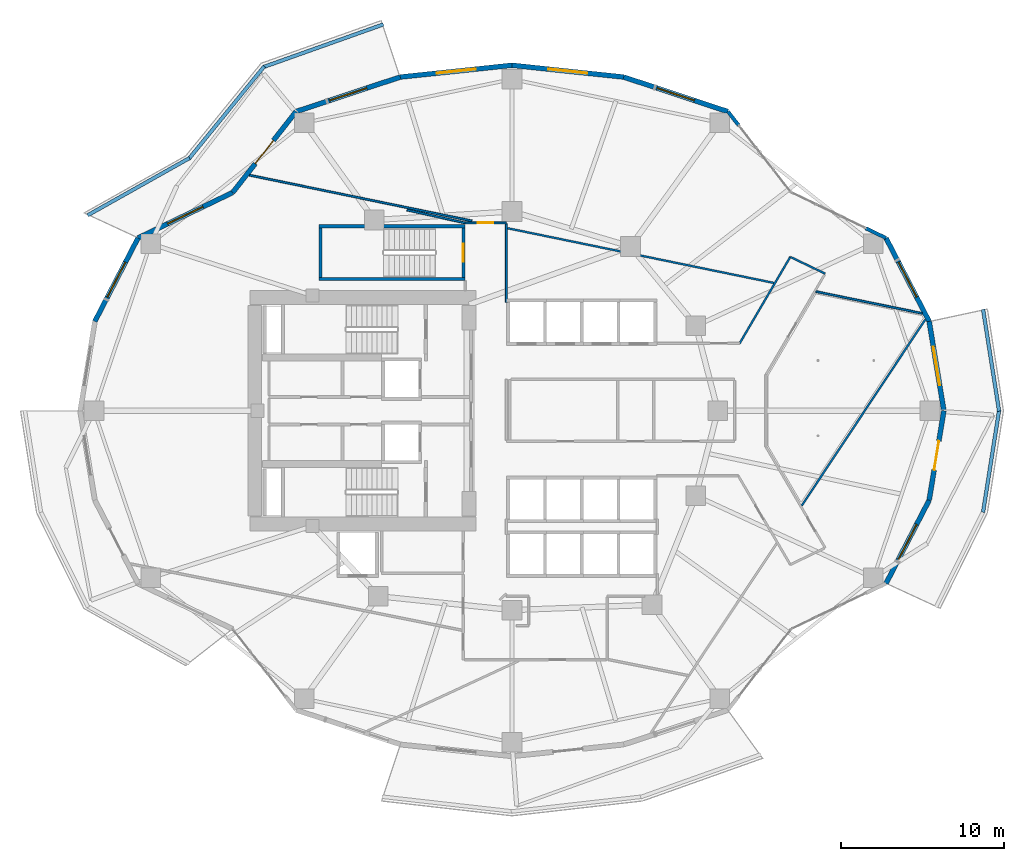
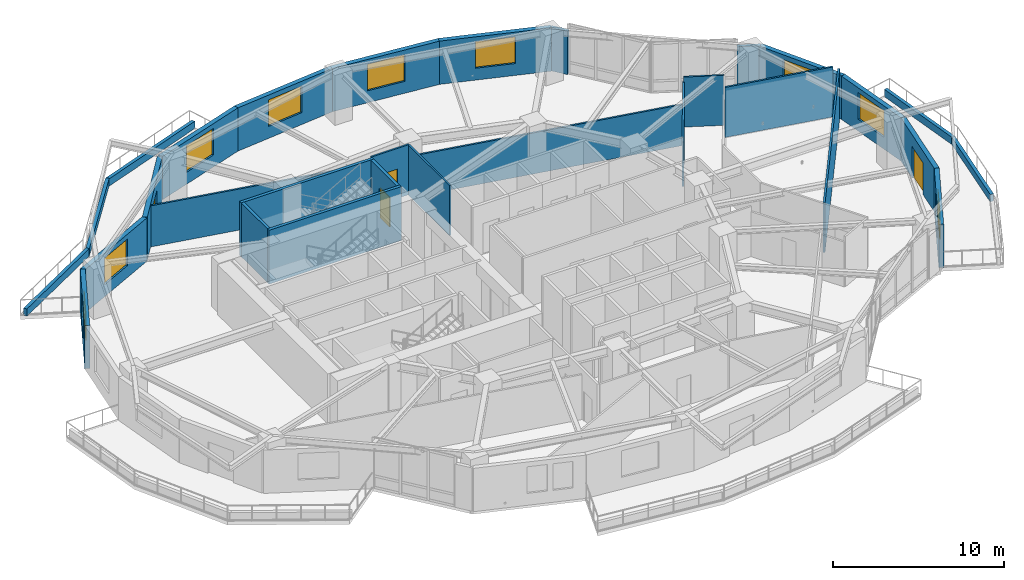
# One storey, part 11 of 18: 31 walls, 9 windows, 4 doors, 13 openings.
"""IFC4 building model written with IfcOpenShell, lengths in metres."""

from ifc_helpers import new_model, si_unit, direction, frame, frame_2d, origin, place, context, subcontext, project, spatial, rectangle, extrude, material, layer, layer_set, type_object, element, fill, save


model = new_model("IFC4")

# Units and contexts
model_context = context("Model", 3, precision=1e-05, world=origin(), true_north=direction((0.0, 1.0)))
body_context = subcontext(model_context, "Body", "Model", "MODEL_VIEW")
ifc_project = project(units=[si_unit("LENGTHUNIT", "METRE"), si_unit("AREAUNIT", "SQUARE_METRE"), si_unit("VOLUMEUNIT", "CUBIC_METRE"), si_unit("PLANEANGLEUNIT", "RADIAN"), si_unit("MASSUNIT", "GRAM", prefix="KILO")], contexts=[model_context])

# Site, building, storey
site_placement = place(None, origin())
site = spatial("IfcSite", under=ifc_project, at=site_placement, CompositionType="ELEMENT")
building_placement = place(site_placement, origin())
building = spatial("IfcBuilding", under=site, at=building_placement, Name="Kolvaren Gate Tower and Convention Centre", CompositionType="ELEMENT")
storey_placement = place(building_placement, frame((0.0, 0.0, 61.14990234375)))
storey = spatial("IfcBuildingStorey", under=building, at=storey_placement, Name="L14", CompositionType="ELEMENT", Elevation=61.14990234375)

# Wall, opening, door
ifc_material_1 = material(Name="Fire-Rated Acoustic Gypsum Stud Partition", Category="gypsum")
ifc_layer_1 = layer(ifc_material_1, 0.1201171875)
ifc_layer_set_1 = layer_set([ifc_layer_1], Name="Fire-Rated Acoustic Gypsum Stud Partition")
wall_type_1 = type_object("IfcWallType", Name="ARCH-WL-PART-120", PredefinedType="PARTITIONING", material=ifc_layer_set_1)
wall_1_placement = place(storey_placement, frame((27.25, 38.5, 0.0), z_axis=(0.0, 0.0, 1.0), x_axis=(1.0, 0.0, 0.0)))
wall_1 = element("IfcWall", 1, at=wall_1_placement, inside=storey, type_object=wall_type_1, Name="Interior Partition WL-L14-INT-022", PredefinedType="PARTITIONING", context=body_context, shape_type="SweptSolid", body=[
    extrude(rectangle(XDim=2.530029296875, YDim=0.1201171875, at=frame_2d((1.26513671875, 0.0))), origin(), (0.0, 0.0, 1.0), 3.570068359375),
])
opening_1_placement = place(wall_1_placement, frame((0.7900390625, 0.0, 0.0)))
opening_1 = element("IfcOpeningElement", 2, at=opening_1_placement, cuts=wall_1, Name="Opening DR-01", PredefinedType="OPENING", context=body_context, shape_type="SweptSolid", body=[
    extrude(rectangle(XDim=0.949951171875, YDim=2.10009765625, at=frame_2d((0.47509765625, 1.050048828125))), frame((0.0, 0.070068359375, 0.0), z_axis=(0.0, -1.0, 0.0), x_axis=(1.0, 0.0, 0.0)), (0.0, 0.0, 1.0), 0.14013671875),
])
ifc_material_2 = material(Name="Painted Architectural Steelwork ASTM A500 Grade C 345 MPa", Category="steel")
door_type_1 = type_object("IfcDoorType", Name="ARCH-DR-RISER-950", OperationType="SINGLE_SWING_RIGHT", PredefinedType="DOOR", material=ifc_material_2)
door_1_placement = place(opening_1_placement, origin())
door_1 = element("IfcDoor", 3, at=door_1_placement, inside=storey, type_object=door_type_1, Name="Design Flagship Showroom Door", OperationType="SINGLE_SWING_RIGHT", OverallHeight=2.10009765625, OverallWidth=0.949951171875, PredefinedType="DOOR", context=body_context, shape_type="SweptSolid", body=[
    extrude(rectangle(XDim=0.949951171875, YDim=2.10009765625, at=frame_2d((0.47509765625, 1.050048828125))), frame((0.0, 0.02490234375, 0.0), z_axis=(0.0, -1.0, 0.0), x_axis=(1.0, 0.0, 0.0)), (0.0, 0.0, 1.0), 0.050048828125),
])
fill(opening_1, door_1)

# Walls
wall_2_placement = place(storey_placement, frame((29.780029296875, 33.639892578125, 0.0), z_axis=(0.0, 0.0, 1.0), x_axis=(0.0, 1.0, 0.0)))
element("IfcWall", 4, at=wall_2_placement, inside=storey, type_object=wall_type_1, Name="Interior Partition WL-L14-INT-025", PredefinedType="PARTITIONING", context=body_context, shape_type="SweptSolid", body=[
    extrude(rectangle(XDim=4.798095703125, YDim=0.1201171875, at=frame_2d((2.39892578125, 0.0))), origin(), (0.0, 0.0, 1.0), 3.570068359375),
])
wall_3_placement = place(storey_placement, frame((44.055908203125, 31.1201171875, 0.0), z_axis=(0.0, 0.0, 1.0), x_axis=(0.505570543943, 0.86278527172, 0.0)))
element("IfcWall", 5, at=wall_3_placement, inside=storey, type_object=wall_type_1, Name="Interior Partition WL-L14-INT-027", PredefinedType="PARTITIONING", context=body_context, shape_type="SweptSolid", body=[
    extrude(rectangle(XDim=6.1416015625, YDim=0.1201171875, at=frame_2d((3.07080078125, 0.0))), origin(), (0.0, 0.0, 1.0), 3.205078125),
])
wall_4_placement = place(storey_placement, frame((47.160888671875, 36.4189453125, 0.0), z_axis=(0.0, 0.0, 1.0), x_axis=(0.901268684569, -0.433260612351, 0.0)))
element("IfcWall", 6, at=wall_4_placement, inside=storey, type_object=wall_type_1, Name="Interior Partition WL-L14-INT-028", PredefinedType="PARTITIONING", context=body_context, shape_type="SweptSolid", body=[
    extrude(rectangle(XDim=2.367919921875, YDim=0.1201171875, at=frame_2d((1.18408203125, 0.0))), origin(), (0.0, 0.0, 1.0), 3.570068359375),
])
wall_5_placement = place(storey_placement, frame((47.8564453125, 21.1845703125, 0.0), z_axis=(0.0, 0.0, 1.0), x_axis=(0.553102657985, 0.833113107405, 0.0)))
element("IfcWall", 7, at=wall_5_placement, inside=storey, type_object=wall_type_1, Name="Interior Partition WL-L14-INT-044", PredefinedType="PARTITIONING", context=body_context, shape_type="SweptSolid", body=[
    extrude(rectangle(XDim=13.6923828125, YDim=0.1201171875, at=frame_2d((6.84619140625, 0.0))), origin(), (0.0, 0.0, 1.0), 3.570068359375),
])
wall_6_placement = place(storey_placement, frame((14.0498046875, 41.421142578125, 0.0), z_axis=(0.0, 0.0, 1.0), x_axis=(0.979545345603, -0.201223547102, 0.0)))
element("IfcWall", 8, at=wall_6_placement, inside=storey, type_object=wall_type_1, Name="Interior Partition WL-L14-INT-045", PredefinedType="PARTITIONING", context=body_context, shape_type="SweptSolid", body=[
    extrude(rectangle(XDim=13.91015625, YDim=0.1201171875, at=frame_2d((6.955078125, 0.0))), origin(), (0.0, 0.0, 1.0), 2.93408203125),
])
wall_7_placement = place(storey_placement, frame((29.842041015625, 38.177001953125, 0.0), z_axis=(0.0, 0.0, 1.0), x_axis=(0.979543984113, -0.201230174647, 0.0)))
element("IfcWall", 9, at=wall_7_placement, inside=storey, type_object=wall_type_1, Name="Interior Partition WL-L14-INT-046", PredefinedType="PARTITIONING", context=body_context, shape_type="SweptSolid", body=[
    extrude(rectangle(XDim=16.654052734375, YDim=0.1201171875, at=frame_2d((8.3271484375, 0.0))), origin(), (0.0, 0.0, 1.0), 2.93408203125),
])
wall_8_placement = place(storey_placement, frame((48.72509765625, 34.2978515625, 0.0), z_axis=(0.0, 0.0, 1.0), x_axis=(0.979545031046, -0.201225078339, 0.0)))
element("IfcWall", 10, at=wall_8_placement, inside=storey, type_object=wall_type_1, Name="Interior Partition WL-L14-INT-047", PredefinedType="PARTITIONING", context=body_context, shape_type="SweptSolid", body=[
    extrude(rectangle(XDim=6.64990234375, YDim=0.1201171875, at=frame_2d((3.324951171875, 0.0))), origin(), (0.0, 0.0, 1.0), 3.570068359375),
])
wall_9_placement = place(storey_placement, frame((23.69287109375, 39.287109375, 0.0), z_axis=(0.0, 0.0, 1.0), x_axis=(0.976382184517, -0.216050525936, 0.0)))
element("IfcWall", 11, at=wall_9_placement, inside=storey, type_object=wall_type_1, Name="Interior Partition WL-L14-INT-048", PredefinedType="PARTITIONING", context=body_context, shape_type="SweptSolid", body=[
    extrude(rectangle(XDim=3.64306640625, YDim=0.1201171875, at=frame_2d((1.821533203125, 0.0))), origin(), (0.0, 0.0, 1.0), 2.93408203125),
])
ifc_material_3 = material(Name="Bogota Sabana Bush-Hammered Sandstone Cladding", Category="masonry")
ifc_layer_2 = layer(ifc_material_3, 0.219970703125)
ifc_layer_set_2 = layer_set([ifc_layer_2], Name="Bogota Sabana Bush-Hammered Sandstone Cladding")
wall_type_2 = type_object("IfcWallType", Name="ARCH-WL-PIER-220", PredefinedType="SOLIDWALL", material=ifc_layer_set_2)
wall_10_placement = place(storey_placement, frame((51.77587890625, 38.173095703125, 0.0), z_axis=(0.0, 0.0, 1.0), x_axis=(0.90131879969, -0.433156347438, 0.0)))
element("IfcWall", 12, at=wall_10_placement, inside=storey, type_object=wall_type_2, Name="Tower L14 Unitised Curtain Wall CW-OFF-UNIT Bay 02 Right Column Pier Wrap", PredefinedType="SOLIDWALL", context=body_context, shape_type="SweptSolid", body=[
    extrude(rectangle(XDim=1.380859375, YDim=0.219970703125, at=frame_2d((0.6904296875, 0.0))), origin(), (0.0, 0.0, 1.0), 3.093017578125),
])
wall_11_placement = place(storey_placement, frame((43.34375, 45.31640625, 0.0), z_axis=(0.0, 0.0, 1.0), x_axis=(0.616387780378, -0.787442762492, 0.0)))
element("IfcWall", 13, at=wall_11_placement, inside=storey, type_object=wall_type_2, Name="Tower L14 Unitised Curtain Wall CW-OFF-UNIT Bay 03 Left Column Pier Wrap", PredefinedType="SOLIDWALL", context=body_context, shape_type="SweptSolid", body=[
    extrude(rectangle(XDim=1.076171875, YDim=0.219970703125, at=frame_2d((0.5380859375, 0.0))), origin(), (0.0, 0.0, 1.0), 3.093017578125),
])
ifc_material_4 = material(Name="Piedmont Cream Honed Limestone Cladding", Category="masonry")
ifc_layer_3 = layer(ifc_material_4, 0.219970703125)
ifc_layer_set_3 = layer_set([ifc_layer_3], Name="Piedmont Cream Honed Limestone Cladding")
wall_type_3 = type_object("IfcWallType", Name="ARCH-WL-PLANTER-220", PredefinedType="PARAPET", material=ifc_layer_set_3)
wall_12_placement = place(storey_placement, frame((14.89306640625, 48.035400390625, 0.0), z_axis=(0.0, 0.0, 1.0), x_axis=(0.942200211781, 0.335050385643, 0.0)))
element("IfcWall", 14, at=wall_12_placement, inside=storey, type_object=wall_type_3, Name="Vertical-Forest Balcony Stone Planter Kerb PK-L14-1.1", PredefinedType="PARAPET", context=body_context, shape_type="SweptSolid", body=[
    extrude(rectangle(XDim=7.806884765625, YDim=0.219970703125, at=frame_2d((3.9033203125, 0.0))), origin(), (0.0, 0.0, 1.0), 0.52001953125),
])
wall_13_placement = place(storey_placement, frame((10.335693359375, 42.411376953125, 0.0), z_axis=(0.0, 0.0, 1.0), x_axis=(0.631819273026, 0.775115737315, 0.0)))
element("IfcWall", 15, at=wall_13_placement, inside=storey, type_object=wall_type_3, Name="Vertical-Forest Balcony Stone Planter Kerb PK-L14-1.2", PredefinedType="PARAPET", context=body_context, shape_type="SweptSolid", body=[
    extrude(rectangle(XDim=7.31591796875, YDim=0.219970703125, at=frame_2d((3.657958984375, 0.0))), origin(), (0.0, 0.0, 1.0), 0.52001953125),
])
wall_14_placement = place(storey_placement, frame((4.14697265625, 38.965576171875, 0.0), z_axis=(0.0, 0.0, 1.0), x_axis=(0.871775109335, 0.489906275468, 0.0)))
element("IfcWall", 16, at=wall_14_placement, inside=storey, type_object=wall_type_3, Name="Vertical-Forest Balcony Stone Planter Kerb PK-L14-1.3", PredefinedType="PARAPET", context=body_context, shape_type="SweptSolid", body=[
    extrude(rectangle(XDim=7.152099609375, YDim=0.219970703125, at=frame_2d((3.576171875, 0.0))), origin(), (0.0, 0.0, 1.0), 0.52001953125),
])
for number, where, z_axis, x_axis, name in (
    (17, (58.9619140625, 20.7880859375, 0.0), (0.0, 0.0, 1.0), (0.15545655238, 0.987842730561, 0.0), "Vertical-Forest Balcony Stone Planter Kerb PK-L14-4.2"),
    (18, (58.9619140625, 33.2119140625, 0.0), (0.0, 0.0, 1.0), (0.15545655238, -0.987842730561, 0.0), "Vertical-Forest Balcony Stone Planter Kerb PK-L14-4.3"),
):
    element("IfcWall", number, at=place(storey_placement, frame(where, z_axis=z_axis, x_axis=x_axis)), inside=storey, type_object=wall_type_3, Name=name, PredefinedType="PARAPET", context=body_context, shape_type="SweptSolid", body=[
        extrude(rectangle(XDim=6.318115234375, YDim=0.219970703125, at=frame_2d((3.1591796875, 0.0))), origin(), (0.0, 0.0, 1.0), 0.52001953125),
    ])

# Wall, opening, window
ifc_layer_4 = layer(ifc_material_4, 0.300048828125)
ifc_layer_set_4 = layer_set([ifc_layer_4], Name="Piedmont Cream Honed Limestone Cladding")
wall_type_4 = type_object("IfcWallType", Name="ARCH-WL-STONE-300", PredefinedType="SOLIDWALL", material=ifc_layer_set_4)
wall_15_placement = place(storey_placement, frame((55.66162109375, 32.47412109375, 0.0), z_axis=(0.0, 0.0, 1.0), x_axis=(0.162386212206, -0.986727276447, 0.0)))
wall_15 = element("IfcWall", 19, at=wall_15_placement, inside=storey, type_object=wall_type_4, Name="Tower L14 Honed Stone Spandrel Wall EW-00", PredefinedType="SOLIDWALL", context=body_context, shape_type="SweptSolid", body=[
    extrude(rectangle(XDim=5.5478515625, YDim=0.300048828125, at=frame_2d((2.77392578125, 0.0))), origin(), (0.0, 0.0, 1.0), 3.093017578125),
])
opening_2_placement = place(wall_15_placement, frame((1.573974609375, 0.0, 0.85009765625)))
opening_2 = element("IfcOpeningElement", 20, at=opening_2_placement, cuts=wall_15, Name="Opening W-01", PredefinedType="OPENING", context=body_context, shape_type="SweptSolid", body=[
    extrude(rectangle(XDim=2.39990234375, YDim=1.89990234375, at=frame_2d((1.199951171875, 0.949951171875))), frame((0.0, 0.159912109375, 0.0), z_axis=(0.0, -1.0, 0.0), x_axis=(1.0, 0.0, 0.0)), (0.0, 0.0, 1.0), 0.320068359375),
])
ifc_material_5 = material(Name="Low-E Triple Insulated Glazing Unit 44 mm", Category="glass")
window_type = type_object("IfcWindowType", Name="ARCH-WN-OFF-2400", PartitioningType="SINGLE_PANEL", PredefinedType="WINDOW", material=ifc_material_5)
window_1_placement = place(opening_2_placement, origin())
window_1 = element("IfcWindow", 21, at=window_1_placement, inside=storey, type_object=window_type, Name="Tower L14 Punched Stone Facade Window W-00", OverallHeight=1.89990234375, OverallWidth=2.39990234375, PartitioningType="SINGLE_PANEL", PredefinedType="WINDOW", context=body_context, shape_type="SweptSolid", body=[
    extrude(rectangle(XDim=2.39990234375, YDim=1.89990234375, at=frame_2d((1.199951171875, 0.949951171875))), frame((0.0, 0.030029296875, 0.0), z_axis=(0.0, -1.0, 0.0), x_axis=(1.0, 0.0, 0.0)), (0.0, 0.0, 1.0), 0.06005859375),
])
fill(opening_2, window_1)

wall_16_placement = place(storey_placement, frame((53.0205078125, 37.574951171875, 0.0), z_axis=(0.0, 0.0, 1.0), x_axis=(0.459800981414, -0.888021991558, 0.0)))
wall_16 = element("IfcWall", 22, at=wall_16_placement, inside=storey, type_object=wall_type_4, Name="Tower L14 Honed Stone Spandrel Wall EW-01", PredefinedType="SOLIDWALL", context=body_context, shape_type="SweptSolid", body=[
    extrude(rectangle(XDim=5.744140625, YDim=0.300048828125, at=frame_2d((2.8720703125, 0.0))), origin(), (0.0, 0.0, 1.0), 3.093017578125),
])
opening_3_placement = place(wall_16_placement, frame((1.672119140625, 0.0, 0.85009765625)))
opening_3 = element("IfcOpeningElement", 23, at=opening_3_placement, cuts=wall_16, Name="Opening W-01", PredefinedType="OPENING", context=body_context, shape_type="SweptSolid", body=[
    extrude(rectangle(XDim=2.39990234375, YDim=1.89990234375, at=frame_2d((1.199951171875, 0.949951171875))), frame((0.0, 0.159912109375, 0.0), z_axis=(0.0, -1.0, 0.0), x_axis=(1.0, 0.0, 0.0)), (0.0, 0.0, 1.0), 0.320068359375),
])
window_2_placement = place(opening_3_placement, origin())
window_2 = element("IfcWindow", 24, at=window_2_placement, inside=storey, type_object=window_type, Name="Tower L14 Punched Stone Facade Window W-01", OverallHeight=1.89990234375, OverallWidth=2.39990234375, PartitioningType="SINGLE_PANEL", PredefinedType="WINDOW", context=body_context, shape_type="SweptSolid", body=[
    extrude(rectangle(XDim=2.39990234375, YDim=1.89990234375, at=frame_2d((1.199951171875, 0.949951171875))), frame((0.0, 0.030029296875, 0.0), z_axis=(0.0, -1.0, 0.0), x_axis=(1.0, 0.0, 0.0)), (0.0, 0.0, 1.0), 0.06005859375),
])
fill(opening_3, window_2)

wall_17_placement = place(storey_placement, frame((36.967529296875, 47.42919921875, 0.0), z_axis=(0.0, 0.0, 1.0), x_axis=(0.949245153629, -0.314537181127, 0.0)))
wall_17 = element("IfcWall", 25, at=wall_17_placement, inside=storey, type_object=wall_type_4, Name="Tower L14 Honed Stone Spandrel Wall EW-04", PredefinedType="SOLIDWALL", context=body_context, shape_type="SweptSolid", body=[
    extrude(rectangle(XDim=6.717041015625, YDim=0.300048828125, at=frame_2d((3.3583984375, 0.0))), origin(), (0.0, 0.0, 1.0), 3.093017578125),
])
opening_4_placement = place(wall_17_placement, frame((2.158935546875, 0.0, 0.85009765625)))
opening_4 = element("IfcOpeningElement", 26, at=opening_4_placement, cuts=wall_17, Name="Opening W-01", PredefinedType="OPENING", context=body_context, shape_type="SweptSolid", body=[
    extrude(rectangle(XDim=2.39990234375, YDim=1.89990234375, at=frame_2d((1.199951171875, 0.949951171875))), frame((0.0, 0.159912109375, 0.0), z_axis=(0.0, -1.0, 0.0), x_axis=(1.0, 0.0, 0.0)), (0.0, 0.0, 1.0), 0.320068359375),
])
window_3_placement = place(opening_4_placement, origin())
window_3 = element("IfcWindow", 27, at=window_3_placement, inside=storey, type_object=window_type, Name="Tower L14 Punched Stone Facade Window W-04", OverallHeight=1.89990234375, OverallWidth=2.39990234375, PartitioningType="SINGLE_PANEL", PredefinedType="WINDOW", context=body_context, shape_type="SweptSolid", body=[
    extrude(rectangle(XDim=2.39990234375, YDim=1.89990234375, at=frame_2d((1.199951171875, 0.949951171875))), frame((0.0, 0.030029296875, 0.0), z_axis=(0.0, -1.0, 0.0), x_axis=(1.0, 0.0, 0.0)), (0.0, 0.0, 1.0), 0.06005859375),
])
fill(opening_4, window_3)

wall_18_placement = place(storey_placement, frame((30.125, 48.14990234375, 0.0), z_axis=(0.0, 0.0, 1.0), x_axis=(0.994498840295, -0.104747585419, 0.0)))
wall_18 = element("IfcWall", 28, at=wall_18_placement, inside=storey, type_object=wall_type_4, Name="Tower L14 Honed Stone Spandrel Wall EW-05", PredefinedType="SOLIDWALL", context=body_context, shape_type="SweptSolid", body=[
    extrude(rectangle(XDim=6.88037109375, YDim=0.300048828125, at=frame_2d((3.440185546875, 0.0))), origin(), (0.0, 0.0, 1.0), 3.093017578125),
])
opening_5_placement = place(wall_18_placement, frame((2.239990234375, 0.0, 0.85009765625)))
opening_5 = element("IfcOpeningElement", 29, at=opening_5_placement, cuts=wall_18, Name="Opening W-01", PredefinedType="OPENING", context=body_context, shape_type="SweptSolid", body=[
    extrude(rectangle(XDim=2.39990234375, YDim=1.89990234375, at=frame_2d((1.199951171875, 0.949951171875))), frame((0.0, 0.159912109375, 0.0), z_axis=(0.0, -1.0, 0.0), x_axis=(1.0, 0.0, 0.0)), (0.0, 0.0, 1.0), 0.320068359375),
])
window_4_placement = place(opening_5_placement, origin())
window_4 = element("IfcWindow", 30, at=window_4_placement, inside=storey, type_object=window_type, Name="Tower L14 Punched Stone Facade Window W-05", OverallHeight=1.89990234375, OverallWidth=2.39990234375, PartitioningType="SINGLE_PANEL", PredefinedType="WINDOW", context=body_context, shape_type="SweptSolid", body=[
    extrude(rectangle(XDim=2.39990234375, YDim=1.89990234375, at=frame_2d((1.199951171875, 0.949951171875))), frame((0.0, 0.030029296875, 0.0), z_axis=(0.0, -1.0, 0.0), x_axis=(1.0, 0.0, 0.0)), (0.0, 0.0, 1.0), 0.06005859375),
])
fill(opening_5, window_4)

wall_19_placement = place(storey_placement, frame((23.282470703125, 47.42919921875, 0.0), z_axis=(0.0, 0.0, 1.0), x_axis=(0.994498840295, 0.104747585419, 0.0)))
wall_19 = element("IfcWall", 31, at=wall_19_placement, inside=storey, type_object=wall_type_4, Name="Tower L14 Honed Stone Spandrel Wall EW-06", PredefinedType="SOLIDWALL", context=body_context, shape_type="SweptSolid", body=[
    extrude(rectangle(XDim=6.88037109375, YDim=0.300048828125, at=frame_2d((3.440185546875, 0.0))), origin(), (0.0, 0.0, 1.0), 3.093017578125),
])
opening_6_placement = place(wall_19_placement, frame((2.239990234375, 0.0, 0.85009765625)))
opening_6 = element("IfcOpeningElement", 32, at=opening_6_placement, cuts=wall_19, Name="Opening W-01", PredefinedType="OPENING", context=body_context, shape_type="SweptSolid", body=[
    extrude(rectangle(XDim=2.39990234375, YDim=1.89990234375, at=frame_2d((1.199951171875, 0.949951171875))), frame((0.0, 0.159912109375, 0.0), z_axis=(0.0, -1.0, 0.0), x_axis=(1.0, 0.0, 0.0)), (0.0, 0.0, 1.0), 0.320068359375),
])
window_5_placement = place(opening_6_placement, origin())
window_5 = element("IfcWindow", 33, at=window_5_placement, inside=storey, type_object=window_type, Name="Tower L14 Punched Stone Facade Window W-06", OverallHeight=1.89990234375, OverallWidth=2.39990234375, PartitioningType="SINGLE_PANEL", PredefinedType="WINDOW", context=body_context, shape_type="SweptSolid", body=[
    extrude(rectangle(XDim=2.39990234375, YDim=1.89990234375, at=frame_2d((1.199951171875, 0.949951171875))), frame((0.0, 0.030029296875, 0.0), z_axis=(0.0, -1.0, 0.0), x_axis=(1.0, 0.0, 0.0)), (0.0, 0.0, 1.0), 0.06005859375),
])
fill(opening_6, window_5)

wall_20_placement = place(storey_placement, frame((16.90625, 45.31640625, 0.0), z_axis=(0.0, 0.0, 1.0), x_axis=(0.949245153629, 0.314537181127, 0.0)))
wall_20 = element("IfcWall", 34, at=wall_20_placement, inside=storey, type_object=wall_type_4, Name="Tower L14 Honed Stone Spandrel Wall EW-07", PredefinedType="SOLIDWALL", context=body_context, shape_type="SweptSolid", body=[
    extrude(rectangle(XDim=6.717041015625, YDim=0.300048828125, at=frame_2d((3.3583984375, 0.0))), origin(), (0.0, 0.0, 1.0), 3.093017578125),
])
opening_7_placement = place(wall_20_placement, frame((2.158935546875, 0.0, 0.85009765625)))
opening_7 = element("IfcOpeningElement", 35, at=opening_7_placement, cuts=wall_20, Name="Opening W-01", PredefinedType="OPENING", context=body_context, shape_type="SweptSolid", body=[
    extrude(rectangle(XDim=2.39990234375, YDim=1.89990234375, at=frame_2d((1.199951171875, 0.949951171875))), frame((0.0, 0.159912109375, 0.0), z_axis=(0.0, -1.0, 0.0), x_axis=(1.0, 0.0, 0.0)), (0.0, 0.0, 1.0), 0.320068359375),
])
window_6_placement = place(opening_7_placement, origin())
window_6 = element("IfcWindow", 36, at=window_6_placement, inside=storey, type_object=window_type, Name="Tower L14 Punched Stone Facade Window W-07", OverallHeight=1.89990234375, OverallWidth=2.39990234375, PartitioningType="SINGLE_PANEL", PredefinedType="WINDOW", context=body_context, shape_type="SweptSolid", body=[
    extrude(rectangle(XDim=2.39990234375, YDim=1.89990234375, at=frame_2d((1.199951171875, 0.949951171875))), frame((0.0, 0.030029296875, 0.0), z_axis=(0.0, -1.0, 0.0), x_axis=(1.0, 0.0, 0.0)), (0.0, 0.0, 1.0), 0.06005859375),
])
fill(opening_7, window_6)

# Wall, opening, door
wall_21_placement = place(storey_placement, frame((13.026123046875, 40.360107421875, 0.0), z_axis=(0.0, 0.0, 1.0), x_axis=(0.616434798832, 0.78740595552, 0.0)))
wall_21 = element("IfcWall", 37, at=wall_21_placement, inside=storey, type_object=wall_type_4, Name="Tower L14 Honed Stone Spandrel Wall EW-08", PredefinedType="SOLIDWALL", context=body_context, shape_type="SweptSolid", body=[
    extrude(rectangle(XDim=6.29443359375, YDim=0.300048828125, at=frame_2d((3.147216796875, 0.0))), origin(), (0.0, 0.0, 1.0), 3.093017578125),
])
opening_8_placement = place(wall_21_placement, frame((2.2470703125, 0.0, 0.0)))
opening_8 = element("IfcOpeningElement", 38, at=opening_8_placement, cuts=wall_21, Name="Opening DB-01", PredefinedType="OPENING", context=body_context, shape_type="SweptSolid", body=[
    extrude(rectangle(XDim=1.800048828125, YDim=2.25, at=frame_2d((0.89990234375, 1.125))), frame((0.0, 0.159912109375, 0.0), z_axis=(0.0, -1.0, 0.0), x_axis=(1.0, 0.0, 0.0)), (0.0, 0.0, 1.0), 0.320068359375),
])
ifc_material_6 = material(Name="Anodized Architectural Aluminium Alloy 6063-T6", Category="aluminium")
door_type_2 = type_object("IfcDoorType", Name="ARCH-DR-BALC-1800", OperationType="SLIDING_TO_LEFT", PredefinedType="DOOR", material=ifc_material_6)
door_2_placement = place(opening_8_placement, origin())
door_2 = element("IfcDoor", 39, at=door_2_placement, inside=storey, type_object=door_type_2, Name="Planted Sky Terrace Access Door DB-L14-08", OperationType="SLIDING_TO_LEFT", OverallHeight=2.25, OverallWidth=1.800048828125, PredefinedType="DOOR", context=body_context, shape_type="SweptSolid", body=[
    extrude(rectangle(XDim=1.800048828125, YDim=2.25, at=frame_2d((0.89990234375, 1.125))), frame((0.0, 0.02490234375, 0.0), z_axis=(0.0, -1.0, 0.0), x_axis=(1.0, 0.0, 0.0)), (0.0, 0.0, 1.0), 0.050048828125),
])
fill(opening_8, door_2)

# Wall, opening, window
wall_22_placement = place(storey_placement, frame((7.2294921875, 37.574951171875, 0.0), z_axis=(0.0, 0.0, 1.0), x_axis=(0.901354747727, 0.433081538224, 0.0)))
wall_22 = element("IfcWall", 40, at=wall_22_placement, inside=storey, type_object=wall_type_4, Name="Tower L14 Honed Stone Spandrel Wall EW-09", PredefinedType="SOLIDWALL", context=body_context, shape_type="SweptSolid", body=[
    extrude(rectangle(XDim=6.430908203125, YDim=0.300048828125, at=frame_2d((3.21533203125, 0.0))), origin(), (0.0, 0.0, 1.0), 3.093017578125),
])
opening_9_placement = place(wall_22_placement, frame((2.014892578125, 0.0, 0.85009765625)))
opening_9 = element("IfcOpeningElement", 41, at=opening_9_placement, cuts=wall_22, Name="Opening W-01", PredefinedType="OPENING", context=body_context, shape_type="SweptSolid", body=[
    extrude(rectangle(XDim=2.39990234375, YDim=1.89990234375, at=frame_2d((1.199951171875, 0.949951171875))), frame((0.0, 0.159912109375, 0.0), z_axis=(0.0, -1.0, 0.0), x_axis=(1.0, 0.0, 0.0)), (0.0, 0.0, 1.0), 0.320068359375),
])
window_7_placement = place(opening_9_placement, origin())
window_7 = element("IfcWindow", 42, at=window_7_placement, inside=storey, type_object=window_type, Name="Tower L14 Punched Stone Facade Window W-09", OverallHeight=1.89990234375, OverallWidth=2.39990234375, PartitioningType="SINGLE_PANEL", PredefinedType="WINDOW", context=body_context, shape_type="SweptSolid", body=[
    extrude(rectangle(XDim=2.39990234375, YDim=1.89990234375, at=frame_2d((1.199951171875, 0.949951171875))), frame((0.0, 0.030029296875, 0.0), z_axis=(0.0, -1.0, 0.0), x_axis=(1.0, 0.0, 0.0)), (0.0, 0.0, 1.0), 0.06005859375),
])
fill(opening_9, window_7)

wall_23_placement = place(storey_placement, frame((4.58837890625, 32.47412109375, 0.0), z_axis=(0.0, 0.0, 1.0), x_axis=(0.459800981414, 0.888021991558, 0.0)))
wall_23 = element("IfcWall", 43, at=wall_23_placement, inside=storey, type_object=wall_type_4, Name="Tower L14 Honed Stone Spandrel Wall EW-10", PredefinedType="SOLIDWALL", context=body_context, shape_type="SweptSolid", body=[
    extrude(rectangle(XDim=5.744140625, YDim=0.300048828125, at=frame_2d((2.8720703125, 0.0))), origin(), (0.0, 0.0, 1.0), 3.093017578125),
])
opening_10_placement = place(wall_23_placement, frame((1.672119140625, 0.0, 0.85009765625)))
opening_10 = element("IfcOpeningElement", 44, at=opening_10_placement, cuts=wall_23, Name="Opening W-01", PredefinedType="OPENING", context=body_context, shape_type="SweptSolid", body=[
    extrude(rectangle(XDim=2.39990234375, YDim=1.89990234375, at=frame_2d((1.199951171875, 0.949951171875))), frame((0.0, 0.159912109375, 0.0), z_axis=(0.0, -1.0, 0.0), x_axis=(1.0, 0.0, 0.0)), (0.0, 0.0, 1.0), 0.320068359375),
])
window_8_placement = place(opening_10_placement, origin())
window_8 = element("IfcWindow", 45, at=window_8_placement, inside=storey, type_object=window_type, Name="Tower L14 Punched Stone Facade Window W-10", OverallHeight=1.89990234375, OverallWidth=2.39990234375, PartitioningType="SINGLE_PANEL", PredefinedType="WINDOW", context=body_context, shape_type="SweptSolid", body=[
    extrude(rectangle(XDim=2.39990234375, YDim=1.89990234375, at=frame_2d((1.199951171875, 0.949951171875))), frame((0.0, 0.030029296875, 0.0), z_axis=(0.0, -1.0, 0.0), x_axis=(1.0, 0.0, 0.0)), (0.0, 0.0, 1.0), 0.06005859375),
])
fill(opening_10, window_8)

wall_24_placement = place(storey_placement, frame((53.0205078125, 16.425048828125, 0.0), z_axis=(0.0, 0.0, 1.0), x_axis=(0.459800981414, 0.888021991558, 0.0)))
wall_24 = element("IfcWall", 46, at=wall_24_placement, inside=storey, type_object=wall_type_4, Name="Tower L14 Honed Stone Spandrel Wall EW-22", PredefinedType="SOLIDWALL", context=body_context, shape_type="SweptSolid", body=[
    extrude(rectangle(XDim=5.744140625, YDim=0.300048828125, at=frame_2d((2.8720703125, 0.0))), origin(), (0.0, 0.0, 1.0), 3.093017578125),
])
opening_11_placement = place(wall_24_placement, frame((1.672119140625, 0.0, 0.85009765625)))
opening_11 = element("IfcOpeningElement", 47, at=opening_11_placement, cuts=wall_24, Name="Opening W-01", PredefinedType="OPENING", context=body_context, shape_type="SweptSolid", body=[
    extrude(rectangle(XDim=2.39990234375, YDim=1.89990234375, at=frame_2d((1.199951171875, 0.949951171875))), frame((0.0, 0.159912109375, 0.0), z_axis=(0.0, -1.0, 0.0), x_axis=(1.0, 0.0, 0.0)), (0.0, 0.0, 1.0), 0.320068359375),
])
window_9_placement = place(opening_11_placement, origin())
window_9 = element("IfcWindow", 48, at=window_9_placement, inside=storey, type_object=window_type, Name="Tower L14 Punched Stone Facade Window W-22", OverallHeight=1.89990234375, OverallWidth=2.39990234375, PartitioningType="SINGLE_PANEL", PredefinedType="WINDOW", context=body_context, shape_type="SweptSolid", body=[
    extrude(rectangle(XDim=2.39990234375, YDim=1.89990234375, at=frame_2d((1.199951171875, 0.949951171875))), frame((0.0, 0.030029296875, 0.0), z_axis=(0.0, -1.0, 0.0), x_axis=(1.0, 0.0, 0.0)), (0.0, 0.0, 1.0), 0.06005859375),
])
fill(opening_11, window_9)

# Wall, opening, door
wall_25_placement = place(storey_placement, frame((55.66162109375, 21.52587890625, 0.0), z_axis=(0.0, 0.0, 1.0), x_axis=(0.162386212206, 0.986727276447, 0.0)))
wall_25 = element("IfcWall", 49, at=wall_25_placement, inside=storey, type_object=wall_type_4, Name="Tower L14 Honed Stone Spandrel Wall EW-23", PredefinedType="SOLIDWALL", context=body_context, shape_type="SweptSolid", body=[
    extrude(rectangle(XDim=5.5478515625, YDim=0.300048828125, at=frame_2d((2.77392578125, 0.0))), origin(), (0.0, 0.0, 1.0), 3.093017578125),
])
opening_12_placement = place(wall_25_placement, frame((1.8740234375, 0.0, 0.0)))
opening_12 = element("IfcOpeningElement", 50, at=opening_12_placement, cuts=wall_25, Name="Opening DB-01", PredefinedType="OPENING", context=body_context, shape_type="SweptSolid", body=[
    extrude(rectangle(XDim=1.800048828125, YDim=2.25, at=frame_2d((0.89990234375, 1.125))), frame((0.0, 0.159912109375, 0.0), z_axis=(0.0, -1.0, 0.0), x_axis=(1.0, 0.0, 0.0)), (0.0, 0.0, 1.0), 0.320068359375),
])
door_3_placement = place(opening_12_placement, frame((1.800048828125, 0.0, 0.0), z_axis=(0.0, 0.0, 1.0), x_axis=(-1.0, 0.0, 0.0)))
door_3 = element("IfcDoor", 51, at=door_3_placement, inside=storey, type_object=door_type_2, Name="Planted Sky Terrace Access Door DB-L14-23", OperationType="SLIDING_TO_LEFT", OverallHeight=2.25, OverallWidth=1.800048828125, PredefinedType="DOOR", context=body_context, shape_type="SweptSolid", body=[
    extrude(rectangle(XDim=1.800048828125, YDim=2.25, at=frame_2d((0.89990234375, 1.125))), frame((0.0, 0.02490234375, 0.0), z_axis=(0.0, -1.0, 0.0), x_axis=(1.0, 0.0, 0.0)), (0.0, 0.0, 1.0), 0.050048828125),
])
fill(opening_12, door_3)

ifc_material_7 = material(Name="Concrete C50/60", Category="concrete")
ifc_layer_5 = layer(ifc_material_7, 0.199951171875)
ifc_layer_set_5 = layer_set([ifc_layer_5], Name="Concrete C50/60")
wall_type_5 = type_object("IfcWallType", Name="STR-WL-SHAFT-200", PredefinedType="SHEAR", material=ifc_layer_set_5)
wall_26_placement = place(storey_placement, frame((27.14990234375, 35.159912109375, -0.27978515625), z_axis=(0.0, 0.0, 1.0), x_axis=(0.0, 1.0, 0.0)))
wall_26 = element("IfcWall", 52, at=wall_26_placement, inside=storey, type_object=wall_type_5, Name="Tower Mid-Zone Exit Stair ST-T3 L14 Structural Shear Enclosure Wall NEAR", PredefinedType="SHEAR", context=body_context, shape_type="SweptSolid", body=[
    extrude(rectangle(XDim=3.0400390625, YDim=0.199951171875, at=frame_2d((1.52001953125, 0.0))), origin(), (0.0, 0.0, 1.0), 3.849853515625),
])
opening_13_placement = place(wall_26_placement, frame((0.969970703125, 0.0, 0.280029296875)))
opening_13 = element("IfcOpeningElement", 53, at=opening_13_placement, cuts=wall_26, Name="Opening DS-01", PredefinedType="OPENING", context=body_context, shape_type="SweptSolid", body=[
    extrude(rectangle(XDim=1.10009765625, YDim=2.14990234375, at=frame_2d((0.550048828125, 1.074951171875))), frame((0.0, 0.10986328125, 0.0), z_axis=(0.0, -1.0, 0.0), x_axis=(1.0, 0.0, 0.0)), (0.0, 0.0, 1.0), 0.219970703125),
])
door_type_3 = type_object("IfcDoorType", Name="ARCH-DR-STAIR-1100", OperationType="SINGLE_SWING_LEFT", PredefinedType="DOOR", material=ifc_material_2)
door_4_placement = place(opening_13_placement, origin())
door_4 = element("IfcDoor", 54, at=door_4_placement, inside=storey, type_object=door_type_3, Name="Tower Mid-Zone Exit Stair ST-T3 L14 Fire Exit Stair Door", OperationType="SINGLE_SWING_RIGHT", OverallHeight=2.14990234375, OverallWidth=1.10009765625, PredefinedType="DOOR", context=body_context, shape_type="SweptSolid", body=[
    extrude(rectangle(XDim=1.10009765625, YDim=2.14990234375, at=frame_2d((0.550048828125, 1.074951171875))), frame((0.0, 0.02490234375, 0.0), z_axis=(0.0, -1.0, 0.0), x_axis=(1.0, 0.0, 0.0)), (0.0, 0.0, 1.0), 0.050048828125),
])
fill(opening_13, door_4)

# Walls
wall_27_placement = place(storey_placement, frame((18.39990234375, 35.159912109375, -0.27978515625), z_axis=(0.0, 0.0, 1.0), x_axis=(0.0, 1.0, 0.0)))
element("IfcWall", 55, at=wall_27_placement, inside=storey, type_object=wall_type_5, Name="Tower Mid-Zone Exit Stair ST-T3 L14 Structural Shear Enclosure Wall FAR", PredefinedType="SHEAR", context=body_context, shape_type="SweptSolid", body=[
    extrude(rectangle(XDim=3.0400390625, YDim=0.199951171875, at=frame_2d((1.52001953125, 0.0))), origin(), (0.0, 0.0, 1.0), 3.849853515625),
])
for number, where, z_axis, x_axis, name in (
    (56, (18.300048828125, 38.300048828125, -0.27978515625), (0.0, 0.0, 1.0), (1.0, 0.0, 0.0), "Tower Mid-Zone Exit Stair ST-T3 L14 Structural Shear Enclosure Wall LEFT"),
    (57, (18.300048828125, 35.06005859375, -0.27978515625), (0.0, 0.0, 1.0), (1.0, 0.0, 0.0), "Tower Mid-Zone Exit Stair ST-T3 L14 Structural Shear Enclosure Wall RGHT"),
):
    element("IfcWall", number, at=place(storey_placement, frame(where, z_axis=z_axis, x_axis=x_axis)), inside=storey, type_object=wall_type_5, Name=name, PredefinedType="SHEAR", context=body_context, shape_type="SweptSolid", body=[
        extrude(rectangle(XDim=8.949951171875, YDim=0.199951171875, at=frame_2d((4.47509765625, 0.0))), origin(), (0.0, 0.0, 1.0), 3.849853515625),
    ])

save(model, "model.ifc")
